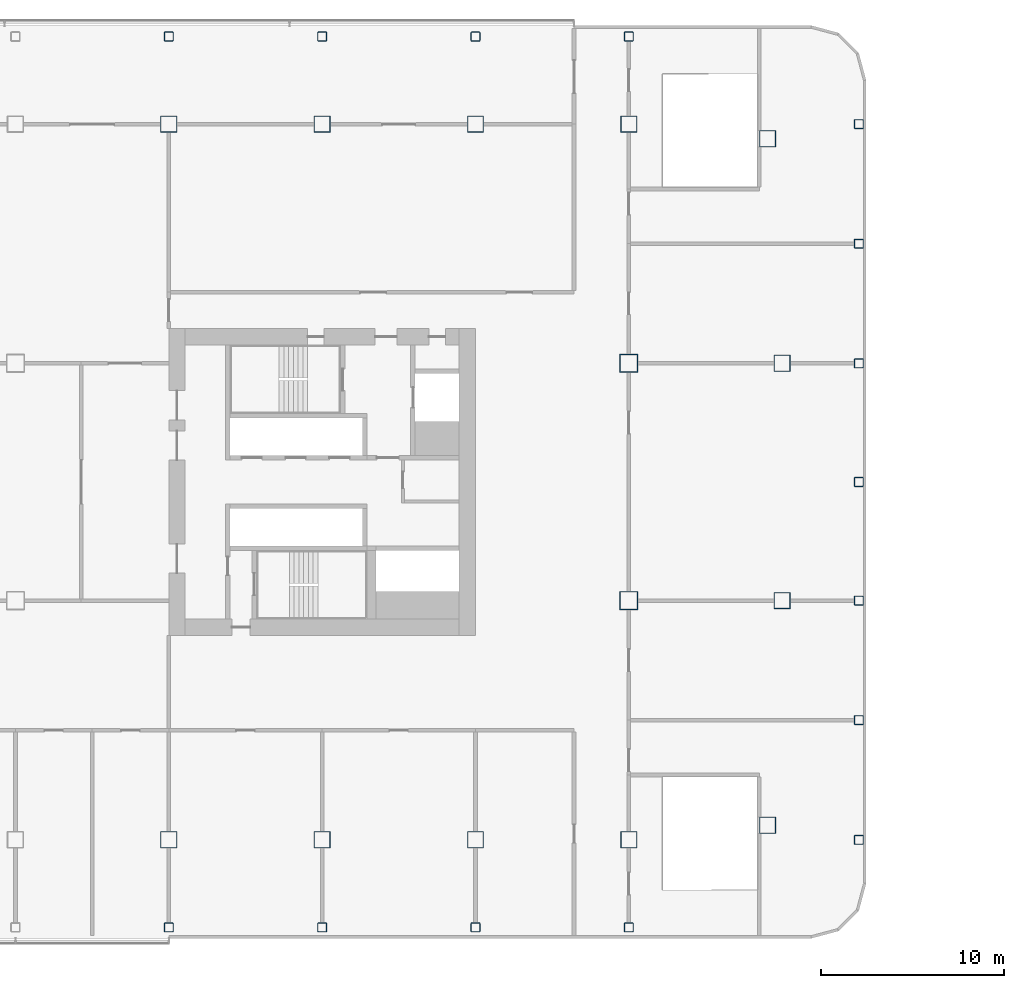
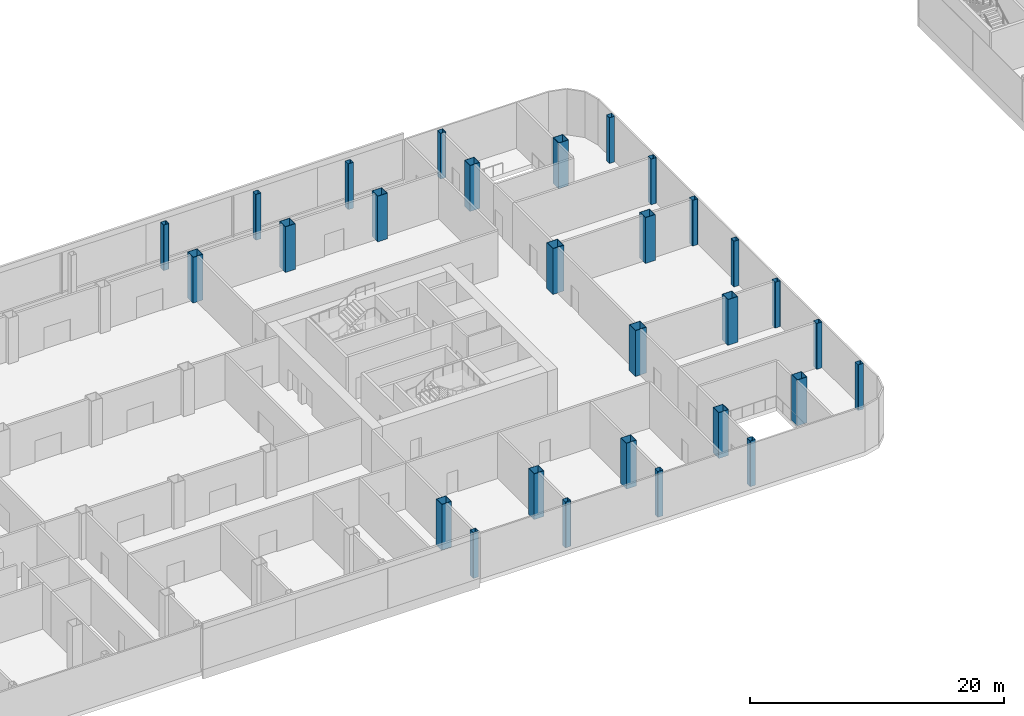
# One storey, part 4 of 53: 29 columns.
"""IFC4 building model written with IfcOpenShell, lengths in metres."""

import ifcopenshell
import ifcopenshell.guid

model = None  # the IFC model being written
_history = None  # IfcOwnerHistory: only IFC2X3 demands one
_inside = {}  # id of a spatial element -> (the spatial element, [elements in it])
_under = {}  # id of a project, library or spatial element -> (it, [spatial elements below it])
_declared = {}  # id of a project -> (the project, [libraries it declares])
_typed = {}  # id of a type object -> (the type object, [elements of that type])
_made_of = {}  # id of a material, layer set ... -> (it, [elements and type objects made of it])


def new_model(schema):
    """Start an empty IFC model of exactly this schema.

    Asked for "IFC4X3", IfcOpenShell would pick the latest addendum, in which some entities
    have other attributes; the version numbers below select the first issue.
    IFC2X3 requires an IfcOwnerHistory on every rooted entity: one is made here for all.
    """
    global model, _history
    if schema == "IFC4X3":
        model = ifcopenshell.file(schema_version=(4, 3, 0, 0))
    else:
        model = ifcopenshell.file(schema=schema)
    _inside.clear()
    _under.clear()
    _declared.clear()
    _typed.clear()
    _made_of.clear()
    _history = None
    if model.schema == "IFC2X3":
        org = make("IfcOrganization", Name="unknown")
        user = make(
            "IfcPersonAndOrganization",
            ThePerson=make("IfcPerson", FamilyName="unknown"),
            TheOrganization=org,
        )
        app = make(
            "IfcApplication",
            ApplicationDeveloper=org,
            Version="unknown",
            ApplicationFullName="unknown",
            ApplicationIdentifier="unknown",
        )
        _history = make(
            "IfcOwnerHistory",
            OwningUser=user,
            OwningApplication=app,
            ChangeAction="ADDED",
            CreationDate=0,
        )
    return model


def make(cls, **values):
    """One entity of the class cls with the attributes given. An attribute that is None is left unset."""
    return model.create_entity(
        cls, **{name: value for name, value in values.items() if value is not None}
    )


def rooted(cls, **values):
    """An entity with a GlobalId (a new one), such as an element, a storey or a relation."""
    return make(cls, GlobalId=ifcopenshell.guid.new(), OwnerHistory=_history, **values)


def si_unit(unit_type, name, prefix=None):
    """IfcSIUnit, for example si_unit("LENGTHUNIT", "METRE", prefix="MILLI")."""
    return make("IfcSIUnit", UnitType=unit_type, Prefix=prefix, Name=name)


def assignment(units):
    """IfcUnitAssignment: the units of a project."""
    return None if units is None else make("IfcUnitAssignment", Units=units)


def point(xyz):
    """IfcCartesianPoint."""
    return None if xyz is None else make("IfcCartesianPoint", Coordinates=xyz)


def direction(xyz):
    """IfcDirection."""
    return None if xyz is None else make("IfcDirection", DirectionRatios=xyz)


def frame(location, z_axis=None, x_axis=None):
    """IfcAxis2Placement3D, a coordinate frame: its origin and axes. An axis left out is left unset."""
    return make(
        "IfcAxis2Placement3D",
        Location=point(location),
        Axis=direction(z_axis),
        RefDirection=direction(x_axis),
    )


def frame_2d(location, x_axis=None):
    """IfcAxis2Placement2D, a coordinate frame in the plane: its origin and x axis."""
    return make(
        "IfcAxis2Placement2D", Location=point(location), RefDirection=direction(x_axis)
    )


def origin():
    """The frame at (0, 0, 0) with its axes left unset."""
    return frame((0.0, 0.0, 0.0))


def origin_2d():
    """The frame at (0, 0) in the plane with its x axis left unset."""
    return frame_2d((0.0, 0.0))


def place(relative_to, where):
    """IfcLocalPlacement: puts the frame where relative to a parent placement (None: the world)."""
    return make(
        "IfcLocalPlacement", PlacementRelTo=relative_to, RelativePlacement=where
    )


def context(
    kind, dimensions, precision=None, world=None, true_north=None, identifier=None
):
    """IfcGeometricRepresentationContext, for example the 3D "Model" context."""
    return make(
        "IfcGeometricRepresentationContext",
        ContextIdentifier=identifier,
        ContextType=kind,
        CoordinateSpaceDimension=dimensions,
        Precision=precision,
        WorldCoordinateSystem=world,
        TrueNorth=true_north,
    )


def subcontext(parent, identifier, kind, view, scale=None):
    """IfcGeometricRepresentationSubContext, for example "Body" below "Model"."""
    return make(
        "IfcGeometricRepresentationSubContext",
        ContextIdentifier=identifier,
        ContextType=kind,
        ParentContext=parent,
        TargetScale=scale,
        TargetView=view,
    )


def project(units=None, contexts=None):
    """IfcProject with its units and contexts."""
    return rooted(
        "IfcProject",
        Name="project",
        RepresentationContexts=contexts,
        UnitsInContext=assignment(units),
    )


def spatial(cls, under=None, at=None, **own):
    """A site, building, storey or space (cls), placed at a placement, below another one or the project."""
    s = rooted(cls, ObjectPlacement=at, **own)
    if under is not None:
        _under.setdefault(under.id(), (under, []))[1].append(s)
    return s


def profile(cls, at=None, kind="AREA", **sizes):
    """A parametric profile (cls). Its sizes go by their IFC names, for example OverallWidth=200.0."""
    return make(cls, ProfileType=kind, Position=at, **sizes)


def hollow_rectangle(**sizes):
    """IfcRectangleHollowProfileDef."""
    return profile("IfcRectangleHollowProfileDef", **sizes)


def extrude(swept, where, along, depth):
    """IfcExtrudedAreaSolid: the profile swept, set in the frame where, extruded along a direction by depth."""
    return make(
        "IfcExtrudedAreaSolid",
        SweptArea=swept,
        Position=where,
        ExtrudedDirection=direction(along),
        Depth=depth,
    )


def shape(context_of_items, identifier, shape_type, items):
    """IfcShapeRepresentation: the items that make up one representation, for example the "Body"."""
    return make(
        "IfcShapeRepresentation",
        ContextOfItems=context_of_items,
        RepresentationIdentifier=identifier,
        RepresentationType=shape_type,
        Items=items,
    )


def material(Name=None, Category=None):
    """IfcMaterial."""
    return make("IfcMaterial", Name=Name, Category=Category)


def material_profile(
    of_material, cross_section, Name=None, Category=None, Priority=None
):
    """IfcMaterialProfile: a cross section and its material."""
    return make(
        "IfcMaterialProfile",
        Name=Name,
        Material=of_material,
        Profile=cross_section,
        Priority=Priority,
        Category=Category,
    )


def profile_set(profiles, Name=None, composite=None):
    """IfcMaterialProfileSet."""
    return make(
        "IfcMaterialProfileSet",
        Name=Name,
        MaterialProfiles=profiles,
        CompositeProfile=composite,
    )


def made_of(thing, what):
    """Note that an element or type object is made of a material, layer set ...; save() writes the relation."""
    if what is not None:
        _made_of.setdefault(what.id(), (what, []))[1].append(thing)
    return thing


def type_object(cls, material=None, **own):
    """A type object (cls), such as IfcWallType, which elements share."""
    return made_of(rooted(cls, **own), material)


def element(
    cls,
    number,
    at=None,
    inside=None,
    cuts=None,
    type_object=None,
    material=None,
    context=None,
    identifier="Body",
    shape_type=None,
    held_by="IfcProductDefinitionShape",
    body=None,
    shapes=None,
    **own,
):
    """One element of the class cls, such as IfcWall. Its Tag is "e" and its number.

    at: its placement. inside: the storey or other place that contains it. cuts: it is an
    opening in that element (IfcRelVoidsElement). A single representation is given by context,
    identifier, shape_type and body (its items); several are given by shapes. held_by: the class
    of the entity that holds the representations. save() writes the other relations.
    """
    e = rooted(cls, Tag="e%d" % number, ObjectPlacement=at, **own)
    if body is not None:
        shapes = [shape(context, identifier, shape_type, body)]
    if shapes is not None:
        e.Representation = make(held_by, Representations=shapes)
    if inside is not None:
        _inside.setdefault(inside.id(), (inside, []))[1].append(e)
    if cuts is not None:
        rooted(
            "IfcRelVoidsElement", RelatingBuildingElement=cuts, RelatedOpeningElement=e
        )
    if type_object is not None:
        _typed.setdefault(type_object.id(), (type_object, []))[1].append(e)
    return made_of(e, material)


def aggregate(whole, parts):
    """IfcRelAggregates: a whole, such as a stair, and the parts it consists of."""
    return rooted("IfcRelAggregates", RelatingObject=whole, RelatedObjects=parts)


def save(model, path):
    """Write the relations noted so far, then the file.

    IfcRelAggregates (storeys below a building ...), IfcRelContainedInSpatialStructure (elements
    in a storey), IfcRelDefinesByType, IfcRelAssociatesMaterial and IfcRelDeclares: one each for
    every whole, place, type object, material and project.
    """
    for whole, parts in _under.values():
        aggregate(whole, parts)
    for where, things in _inside.values():
        rooted(
            "IfcRelContainedInSpatialStructure",
            RelatedElements=things,
            RelatingStructure=where,
        )
    for kind, things in _typed.values():
        rooted("IfcRelDefinesByType", RelatedObjects=things, RelatingType=kind)
    for what, things in _made_of.values():
        rooted("IfcRelAssociatesMaterial", RelatedObjects=things, RelatingMaterial=what)
    for by, libraries in _declared.values():
        rooted("IfcRelDeclares", RelatingContext=by, RelatedDefinitions=libraries)
    model.write(path)


model = new_model("IFC4")

# Units and contexts
model_context = context("Model", 3, precision=1e-05, world=origin(), true_north=direction((0.0, 1.0)))
body_context = subcontext(model_context, "Body", "Model", "MODEL_VIEW")
ifc_project = project(units=[si_unit("LENGTHUNIT", "METRE"), si_unit("AREAUNIT", "SQUARE_METRE"), si_unit("VOLUMEUNIT", "CUBIC_METRE"), si_unit("PLANEANGLEUNIT", "RADIAN"), si_unit("MASSUNIT", "GRAM", prefix="KILO")], contexts=[model_context])

# Site, building, storey
site_placement = place(None, origin())
site = spatial("IfcSite", under=ifc_project, at=site_placement, CompositionType="ELEMENT")
building_placement = place(site_placement, origin())
building = spatial("IfcBuilding", under=site, at=building_placement, Name="Hakoniwa Tower and Hamabe Station Hall", CompositionType="ELEMENT")
storey_placement = place(building_placement, frame((0.0, 0.0, 15.0)))
storey = spatial("IfcBuildingStorey", under=building, at=storey_placement, Name="L03", CompositionType="ELEMENT", Elevation=15.0)

# Columns
ifc_material_1 = material(Name="Steel BCR295", Category="steel")
ifc_material_profile_1 = material_profile(ifc_material_1, hollow_rectangle(XDim=0.5, YDim=0.5, WallThickness=0.01904296875, InnerFilletRadius=0.028564453125, OuterFilletRadius=0.047607421875, at=origin_2d()), Name="BCR-500x500x19")
ifc_profile_set_1 = profile_set([ifc_material_profile_1], Name="Steel BCR295")
column_type_1 = type_object("IfcColumnType", Name="COLUMN BCR-500x500x19", PredefinedType="COLUMN", material=ifc_profile_set_1)
for number, where, z_axis, x_axis, name in (
    (1, (16.800048828125, -24.39990234375, 0.0), (0.0, 0.0, 1.0), (1.0, 0.0, 0.0), "Column P-9-RS"),
    (2, (16.800048828125, 24.39990234375, 0.0), (0.0, 0.0, 1.0), (1.0, 0.0, 0.0), "Column P-9-RN"),
    (3, (25.199951171875, -24.39990234375, 0.0), (0.0, 0.0, 1.0), (1.0, 0.0, 0.0), "Column P-10-RS"),
    (4, (25.199951171875, 24.39990234375, 0.0), (0.0, 0.0, 1.0), (1.0, 0.0, 0.0), "Column P-10-RN"),
    (5, (33.60009765625, -24.39990234375, 0.0), (0.0, 0.0, 1.0), (1.0, 0.0, 0.0), "Column P-11-RS"),
    (6, (33.60009765625, 24.39990234375, 0.0), (0.0, 0.0, 1.0), (1.0, 0.0, 0.0), "Column P-11-RN"),
    (7, (42.0, -24.39990234375, 0.0), (0.0, 0.0, 1.0), (1.0, 0.0, 0.0), "Column P-12-RS"),
    (8, (42.0, 24.39990234375, 0.0), (0.0, 0.0, 1.0), (1.0, 0.0, 0.0), "Column P-12-RN"),
    (9, (54.60009765625, -19.60009765625, 0.0), (0.0, 0.0, 1.0), (1.0, 0.0, 0.0), "Column P-RE-A1"),
    (10, (54.60009765625, -13.050048828125, 0.0), (0.0, 0.0, 1.0), (1.0, 0.0, 0.0), "Column P-RE-B1"),
    (11, (54.60009765625, -6.5, 0.0), (0.0, 0.0, 1.0), (1.0, 0.0, 0.0), "Column P-RE-C1"),
    (12, (54.60009765625, 0.0, 0.0), (0.0, 0.0, 1.0), (1.0, 0.0, 0.0), "Column P-RE-D1"),
    (13, (54.60009765625, 6.5, 0.0), (0.0, 0.0, 1.0), (1.0, 0.0, 0.0), "Column P-RE-E1"),
    (14, (54.60009765625, 13.050048828125, 0.0), (0.0, 0.0, 1.0), (1.0, 0.0, 0.0), "Column P-RE-F1"),
    (15, (54.60009765625, 19.60009765625, 0.0), (0.0, 0.0, 1.0), (1.0, 0.0, 0.0), "Column P-RE-G1"),
):
    element("IfcColumn", number, at=place(storey_placement, frame(where, z_axis=z_axis, x_axis=x_axis)), inside=storey, type_object=column_type_1, Name=name, PredefinedType="COLUMN", context=body_context, shape_type="SweptSolid", body=[
        extrude(hollow_rectangle(XDim=0.5, YDim=0.5, WallThickness=0.01904296875, InnerFilletRadius=0.028564453125, OuterFilletRadius=0.047607421875, at=origin_2d()), origin(), (0.0, 0.0, 1.0), 4.39990234375),
    ])
ifc_material_2 = material(Name="Steel SN490C", Category="steel")
ifc_material_profile_2 = material_profile(ifc_material_2, hollow_rectangle(XDim=1.0, YDim=1.0, WallThickness=0.0400390625, at=origin_2d()), Name="BX-1000x1000x40")
ifc_profile_set_2 = profile_set([ifc_material_profile_2], Name="Steel SN490C")
column_type_2 = type_object("IfcColumnType", Name="COLUMN BX-1000x1000x40", PredefinedType="COLUMN", material=ifc_profile_set_2)
for number, where, z_axis, x_axis, name in (
    (16, (42.0, -6.5, 0.0), (0.0, 0.0, 1.0), (1.0, 0.0, 0.0), "Column P-12-C1"),
    (17, (42.0, 6.5, 0.0), (0.0, 0.0, 1.0), (1.0, 0.0, 0.0), "Column P-12-E1"),
):
    element("IfcColumn", number, at=place(storey_placement, frame(where, z_axis=z_axis, x_axis=x_axis)), inside=storey, type_object=column_type_2, Name=name, PredefinedType="COLUMN", context=body_context, shape_type="SweptSolid", body=[
        extrude(hollow_rectangle(XDim=1.0, YDim=1.0, WallThickness=0.0400390625, at=origin_2d()), origin(), (0.0, 0.0, 1.0), 4.39990234375),
    ])
ifc_material_3 = material(Name="Steel SN490C", Category="steel")
ifc_material_profile_3 = material_profile(ifc_material_3, hollow_rectangle(XDim=0.89990234375, YDim=0.89990234375, WallThickness=0.035888671875, at=origin_2d()), Name="BX-900x900x36")
ifc_profile_set_3 = profile_set([ifc_material_profile_3], Name="Steel SN490C")
column_type_3 = type_object("IfcColumnType", Name="COLUMN BX-900x900x36", PredefinedType="COLUMN", material=ifc_profile_set_3)
for number, where, z_axis, x_axis, name in (
    (18, (16.800048828125, -19.60009765625, 0.0), (0.0, 0.0, 1.0), (1.0, 0.0, 0.0), "Column P-9-A1"),
    (19, (16.800048828125, 19.60009765625, 0.0), (0.0, 0.0, 1.0), (1.0, 0.0, 0.0), "Column P-9-G1"),
    (20, (25.199951171875, -19.60009765625, 0.0), (0.0, 0.0, 1.0), (1.0, 0.0, 0.0), "Column P-10-A1"),
    (21, (25.199951171875, 19.60009765625, 0.0), (0.0, 0.0, 1.0), (1.0, 0.0, 0.0), "Column P-10-G1"),
    (22, (33.60009765625, -19.60009765625, 0.0), (0.0, 0.0, 1.0), (1.0, 0.0, 0.0), "Column P-11-A1"),
    (23, (33.60009765625, 19.60009765625, 0.0), (0.0, 0.0, 1.0), (1.0, 0.0, 0.0), "Column P-11-G1"),
    (24, (42.0, -19.60009765625, 0.0), (0.0, 0.0, 1.0), (1.0, 0.0, 0.0), "Column P-12-A1"),
    (25, (42.0, 19.60009765625, 0.0), (0.0, 0.0, 1.0), (1.0, 0.0, 0.0), "Column P-12-G1"),
    (26, (49.60302734375, -18.802978515625, 0.0), (0.0, 0.0, 1.0), (1.0, 0.0, 0.0), "Column P-13-A1"),
    (27, (50.39990234375, -6.5, 0.0), (0.0, 0.0, 1.0), (1.0, 0.0, 0.0), "Column P-13-C1"),
    (28, (50.39990234375, 6.5, 0.0), (0.0, 0.0, 1.0), (1.0, 0.0, 0.0), "Column P-13-E1"),
    (29, (49.60302734375, 18.802978515625, 0.0), (0.0, 0.0, 1.0), (1.0, 0.0, 0.0), "Column P-13-G1"),
):
    element("IfcColumn", number, at=place(storey_placement, frame(where, z_axis=z_axis, x_axis=x_axis)), inside=storey, type_object=column_type_3, Name=name, PredefinedType="COLUMN", context=body_context, shape_type="SweptSolid", body=[
        extrude(hollow_rectangle(XDim=0.89990234375, YDim=0.89990234375, WallThickness=0.035888671875, at=origin_2d()), origin(), (0.0, 0.0, 1.0), 4.39990234375),
    ])

save(model, "model.ifc")
